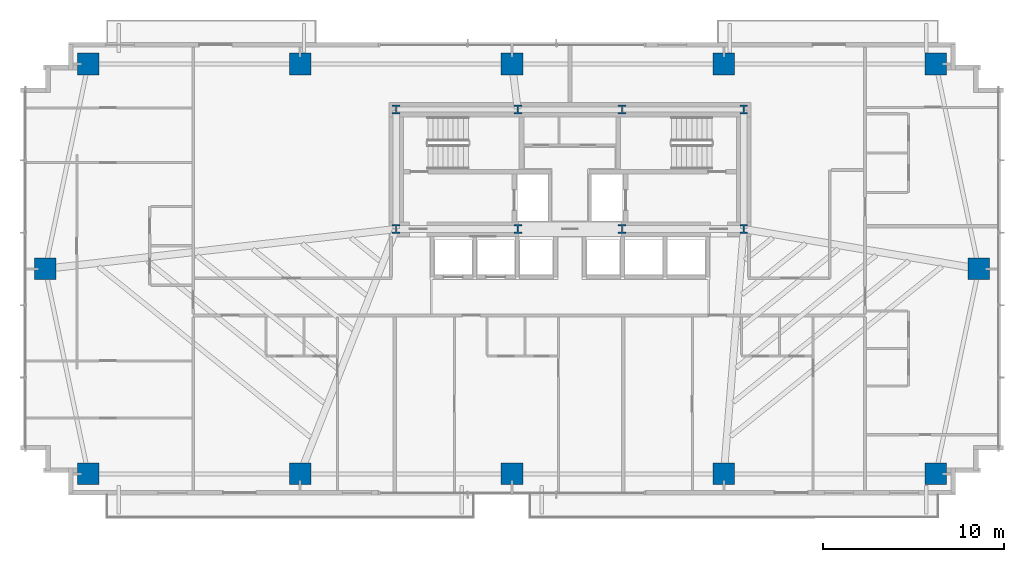
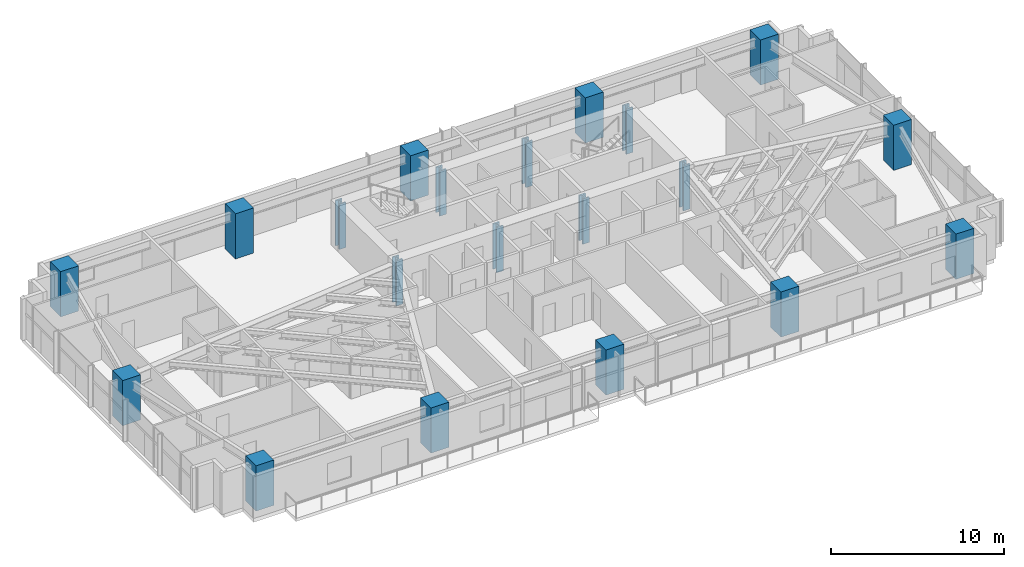
# One storey, part 1 of 25: 20 columns.
"""IFC4 building model written with IfcOpenShell, lengths in metres."""

from ifc_helpers import new_model, si_unit, direction, frame, origin, origin_2d, place, context, subcontext, project, spatial, rectangle, i_section, extrude, source, transform, mapped, material, material_profile, profile_set, type_object, type_shapes, element, save


model = new_model("IFC4")

# Units and contexts
model_context = context("Model", 3, precision=1e-05, world=origin(), true_north=direction((0.0, 1.0)))
body_context = subcontext(model_context, "Body", "Model", "MODEL_VIEW")
ifc_project = project(units=[si_unit("LENGTHUNIT", "METRE"), si_unit("AREAUNIT", "SQUARE_METRE"), si_unit("VOLUMEUNIT", "CUBIC_METRE"), si_unit("PLANEANGLEUNIT", "RADIAN"), si_unit("MASSUNIT", "GRAM", prefix="KILO")], contexts=[model_context])

# Site, building, storey
site_placement = place(None, origin())
site = spatial("IfcSite", under=ifc_project, at=site_placement, CompositionType="ELEMENT")
building_placement = place(site_placement, origin())
building = spatial("IfcBuilding", under=site, at=building_placement, Name="Astriad Promenade Condominiums", CompositionType="ELEMENT")
storey_placement = place(building_placement, frame((0.0, 0.0, 45.39990234375)))
storey = spatial("IfcBuildingStorey", under=building, at=storey_placement, Name="L12", CompositionType="ELEMENT", Elevation=45.39990234375)

# Columns
ifc_material_1 = material(Name="Steel ASTM A992 Grade 50", Category="steel")
ifc_material_profile_1 = material_profile(ifc_material_1, i_section(OverallWidth=0.43701171875, OverallDepth=0.51416015625, WebThickness=0.060546875, FlangeThickness=0.096923828125, FilletRadius=0.017822265625, at=origin_2d()), Name="W14X550")
ifc_profile_set_1 = profile_set([ifc_material_profile_1], Name="Steel ASTM A992 Grade 50")
column_type_1 = type_object("IfcColumnType", Name="STEEL CORE PILASTER W14X550", PredefinedType="PILASTER", material=ifc_profile_set_1)
shared_shape_1 = source(origin(), body_context, "Body", "SweptSolid", [
    extrude(i_section(OverallWidth=0.43701171875, OverallDepth=0.51416015625, WebThickness=0.060546875, FlangeThickness=0.096923828125, FilletRadius=0.017822265625, at=origin_2d()), origin(), (0.0, 0.0, 1.0), 3.19580078125),
])
type_shapes(column_type_1, [shared_shape_1])
for number, where, z_axis, x_axis, name in (
    (1, (26.39990234375, 17.39990234375, 0.002197265625), (0.0, 0.0, 1.0), (1.0, 0.0, 0.0), "Core Pilaster Column CP1 (L12)"),
    (2, (33.1201171875, 17.39990234375, 0.002197265625), (0.0, 0.0, 1.0), (1.0, 0.0, 0.0), "Core Pilaster Column CP2 (L12)"),
    (3, (38.8798828125, 17.39990234375, 0.002197265625), (0.0, 0.0, 1.0), (1.0, 0.0, 0.0), "Core Pilaster Column CP3 (L12)"),
    (4, (45.60009765625, 17.39990234375, 0.002197265625), (0.0, 0.0, 1.0), (1.0, 0.0, 0.0), "Core Pilaster Column CP4 (L12)"),
    (5, (26.39990234375, 24.0, 0.002197265625), (0.0, 0.0, 1.0), (1.0, 0.0, 0.0), "Core Pilaster Column CP5 (L12)"),
    (6, (33.1201171875, 24.0, 0.002197265625), (0.0, 0.0, 1.0), (1.0, 0.0, 0.0), "Core Pilaster Column CP6 (L12)"),
    (7, (38.8798828125, 24.0, 0.002197265625), (0.0, 0.0, 1.0), (1.0, 0.0, 0.0), "Core Pilaster Column CP7 (L12)"),
    (8, (45.60009765625, 24.0, 0.002197265625), (0.0, 0.0, 1.0), (1.0, 0.0, 0.0), "Core Pilaster Column CP8 (L12)"),
):
    element("IfcColumn", number, at=place(storey_placement, frame(where, z_axis=z_axis, x_axis=x_axis)), inside=storey, type_object=column_type_1, Name=name, PredefinedType="PILASTER", context=body_context, shape_type="MappedRepresentation", body=[
        mapped(shared_shape_1, transform((0.0, 0.0, 0.0), scale=1.0)),
    ])
ifc_material_2 = material(Name="Concrete C80/95", Category="concrete")
ifc_material_profile_2 = material_profile(ifc_material_2, rectangle(XDim=1.199951171875, YDim=1.199951171875, at=origin_2d()), Name="RC-COL-1200X1200")
ifc_profile_set_2 = profile_set([ifc_material_profile_2], Name="Concrete C80/95")
column_type_2 = type_object("IfcColumnType", Name="CONCRETE MEGA COLUMN 1200X1200", PredefinedType="COLUMN", material=ifc_profile_set_2)
shared_shape_2 = source(origin(), body_context, "Body", "SweptSolid", [
    extrude(rectangle(XDim=1.199951171875, YDim=1.199951171875, at=origin_2d()), origin(), (0.0, 0.0, 1.0), 3.19580078125),
])
type_shapes(column_type_2, [shared_shape_2])
for number, where, z_axis, x_axis, name in (
    (9, (9.39990234375, 3.8798828125, 0.002197265625), (0.0, 0.0, 1.0), (1.0, 0.0, 0.0), "Perimeter Column PC01 (L12)"),
    (10, (21.10009765625, 3.8798828125, 0.002197265625), (0.0, 0.0, 1.0), (1.0, 0.0, 0.0), "Perimeter Column PC02 (L12)"),
    (11, (32.800048828125, 3.8798828125, 0.002197265625), (0.0, 0.0, 1.0), (1.0, 0.0, 0.0), "Perimeter Column PC03 (L12)"),
    (12, (44.5, 3.8798828125, 0.002197265625), (0.0, 0.0, 1.0), (1.0, 0.0, 0.0), "Perimeter Column PC04 (L12)"),
    (13, (56.199951171875, 3.8798828125, 0.002197265625), (0.0, 0.0, 1.0), (1.0, 0.0, 0.0), "Perimeter Column PC05 (L12)"),
    (14, (9.39990234375, 26.52001953125, 0.002197265625), (0.0, 0.0, 1.0), (1.0, 0.0, 0.0), "Perimeter Column PC06 (L12)"),
    (15, (21.10009765625, 26.52001953125, 0.002197265625), (0.0, 0.0, 1.0), (1.0, 0.0, 0.0), "Perimeter Column PC07 (L12)"),
    (16, (32.800048828125, 26.52001953125, 0.002197265625), (0.0, 0.0, 1.0), (1.0, 0.0, 0.0), "Perimeter Column PC08 (L12)"),
    (17, (44.5, 26.52001953125, 0.002197265625), (0.0, 0.0, 1.0), (1.0, 0.0, 0.0), "Perimeter Column PC09 (L12)"),
    (18, (56.199951171875, 26.52001953125, 0.002197265625), (0.0, 0.0, 1.0), (1.0, 0.0, 0.0), "Perimeter Column PC10 (L12)"),
    (19, (7.02001953125, 15.199951171875, 0.002197265625), (0.0, 0.0, 1.0), (1.0, 0.0, 0.0), "Perimeter Column PC11 (L12)"),
    (20, (58.580078125, 15.199951171875, 0.002197265625), (0.0, 0.0, 1.0), (1.0, 0.0, 0.0), "Perimeter Column PC12 (L12)"),
):
    element("IfcColumn", number, at=place(storey_placement, frame(where, z_axis=z_axis, x_axis=x_axis)), inside=storey, type_object=column_type_2, Name=name, PredefinedType="COLUMN", context=body_context, shape_type="MappedRepresentation", body=[
        mapped(shared_shape_2, transform((0.0, 0.0, 0.0), scale=1.0)),
    ])

save(model, "model.ifc")
